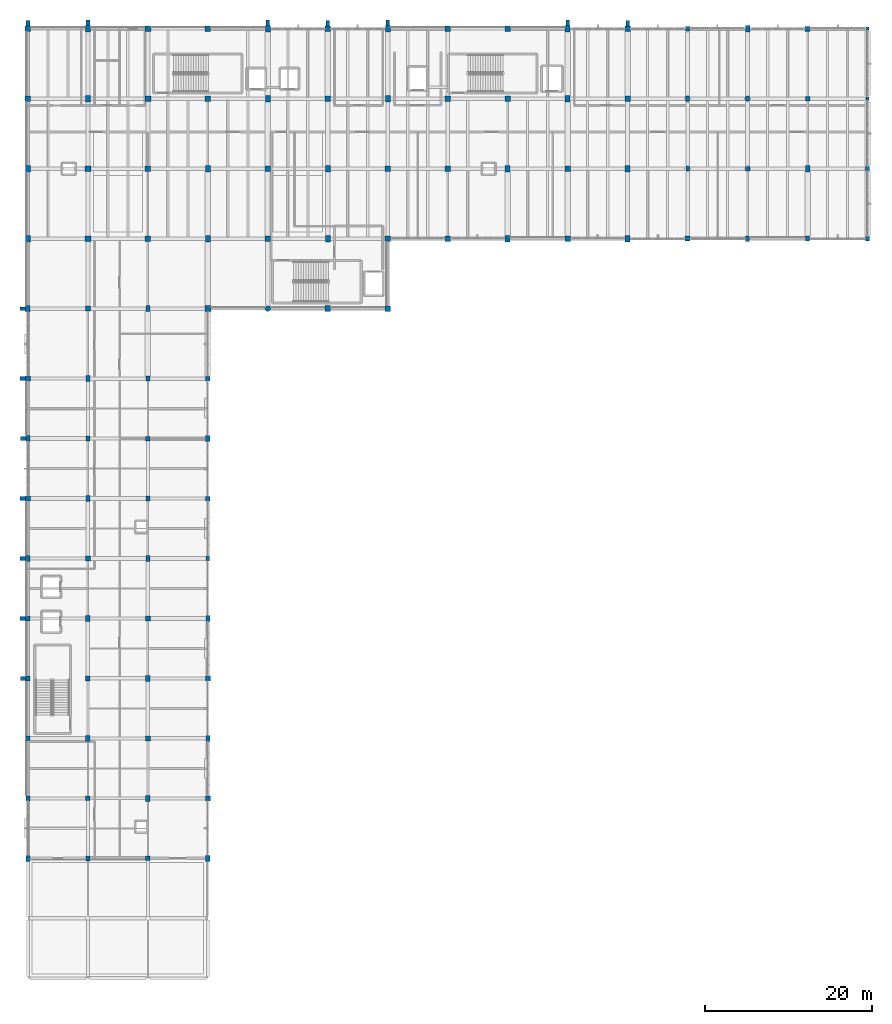
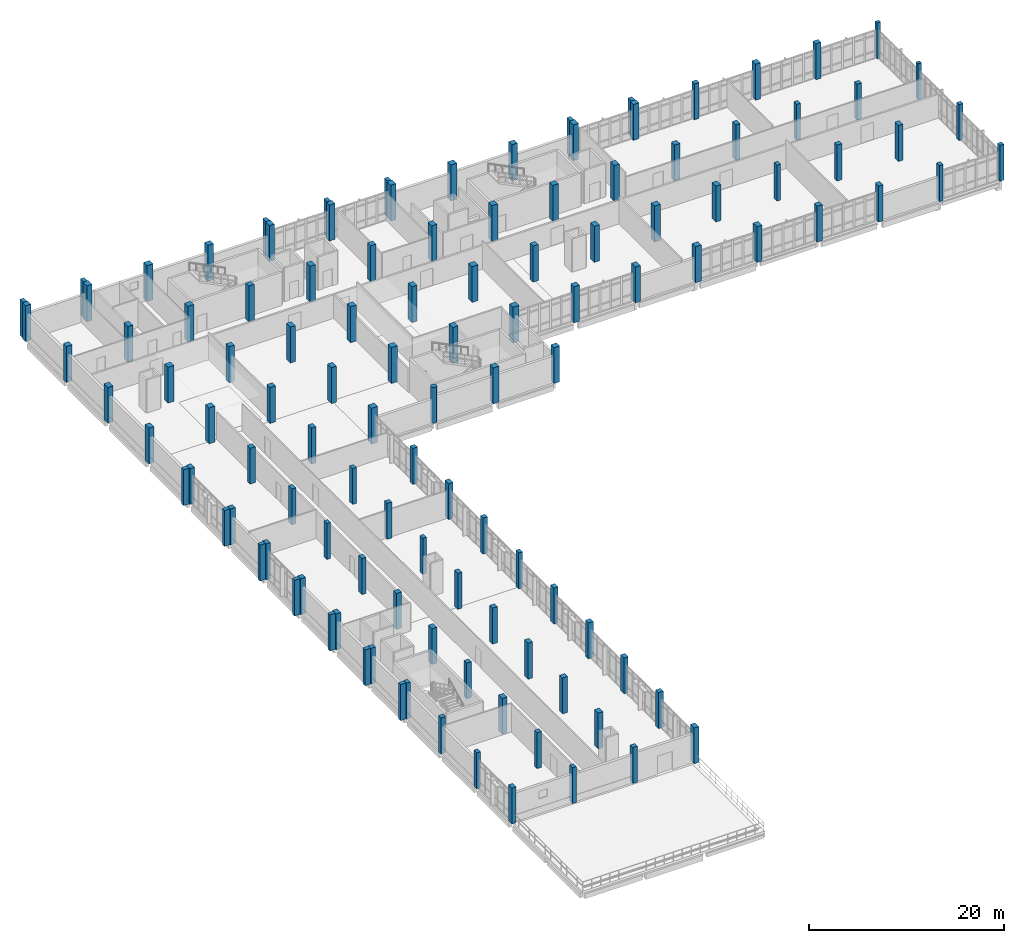
# One storey, part 1 of 57: 117 columns.
"""IFC4 building model written with IfcOpenShell, lengths in metres."""

from ifc_helpers import new_model, si_unit, direction, frame, origin, origin_2d, place, context, subcontext, project, spatial, rectangle, circle, extrude, material, material_profile, profile_set, type_object, element, save


model = new_model("IFC4")

# Units and contexts
model_context = context("Model", 3, precision=1e-05, world=origin(), true_north=direction((0.0, 1.0)))
body_context = subcontext(model_context, "Body", "Model", "MODEL_VIEW")
ifc_project = project(units=[si_unit("LENGTHUNIT", "METRE"), si_unit("AREAUNIT", "SQUARE_METRE"), si_unit("VOLUMEUNIT", "CUBIC_METRE"), si_unit("PLANEANGLEUNIT", "RADIAN"), si_unit("MASSUNIT", "GRAM", prefix="KILO")], contexts=[model_context])

# Site, building, storey
site_placement = place(None, origin())
site = spatial("IfcSite", under=ifc_project, at=site_placement, CompositionType="ELEMENT")
building_placement = place(site_placement, origin())
building = spatial("IfcBuilding", under=site, at=building_placement, Name="Kalluvel Institute of Natural Sciences", CompositionType="ELEMENT")
storey_placement = place(building_placement, frame((0.0, 0.0, 23.39990234375)))
storey = spatial("IfcBuildingStorey", under=building, at=storey_placement, Name="L05", CompositionType="ELEMENT", Elevation=23.39990234375)

# Columns
ifc_material_1 = material(Name="Concrete M40", Category="concrete")
ifc_material_profile_1 = material_profile(ifc_material_1, rectangle(XDim=0.39990234375, YDim=0.39990234375, at=origin_2d()), Name="RC 400x400")
ifc_profile_set_1 = profile_set([ifc_material_profile_1], Name="Concrete M40")
column_type_1 = type_object("IfcColumnType", Name="COL-RC400", PredefinedType="COLUMN", material=ifc_profile_set_1)
for number, where, z_axis, x_axis, name in (
    (1, (114.800048828125, 119.60009765625, 0.0), (0.0, 0.0, 1.0), (1.0, 0.0, 0.0), "L05 structural column COL-L05-X1148-Y1196"),
    (2, (114.800048828125, 128.0, 0.0), (0.0, 0.0, 1.0), (1.0, 0.0, 0.0), "L05 structural column COL-L05-X1148-Y1280"),
):
    element("IfcColumn", number, at=place(storey_placement, frame(where, z_axis=z_axis, x_axis=x_axis)), inside=storey, type_object=column_type_1, Name=name, PredefinedType="COLUMN", context=body_context, shape_type="SweptSolid", body=[
        extrude(rectangle(XDim=0.39990234375, YDim=0.39990234375, at=origin_2d()), origin(), (0.0, 0.0, 1.0), 4.5),
    ])
ifc_material_profile_2 = material_profile(ifc_material_1, rectangle(XDim=0.449951171875, YDim=0.60009765625, at=origin_2d()), Name="RC 450x600")
ifc_profile_set_2 = profile_set([ifc_material_profile_2], Name="Concrete M40")
column_type_2 = type_object("IfcColumnType", Name="COL-RC450x600", PredefinedType="COLUMN", material=ifc_profile_set_2)
for number, where, z_axis, x_axis, name in (
    (3, (14.0, 35.60009765625, 0.0), (0.0, 0.0, 1.0), (1.0, 0.0, 0.0), "L05 structural column COL-L05-X140-Y356"),
    (4, (14.0, 50.0, 0.0), (0.0, 0.0, 1.0), (1.0, 0.0, 0.0), "L05 structural column COL-L05-X140-Y500"),
    (5, (21.199951171875, 28.39990234375, 0.0), (0.0, 0.0, 1.0), (1.0, 0.0, 0.0), "L05 structural column COL-L05-X212-Y284"),
    (6, (21.199951171875, 78.800048828125, 0.0), (0.0, 0.0, 1.0), (1.0, 0.0, 0.0), "L05 structural column COL-L05-X212-Y788"),
    (7, (28.39990234375, 71.60009765625, 0.0), (0.0, 0.0, 1.0), (1.0, 0.0, 0.0), "L05 structural column COL-L05-X284-Y716"),
    (8, (28.39990234375, 86.0, 0.0), (0.0, 0.0, 1.0), (1.0, 0.0, 0.0), "L05 structural column COL-L05-X284-Y860"),
    (9, (35.60009765625, 64.39990234375, 0.0), (0.0, 0.0, 1.0), (1.0, 0.0, 0.0), "L05 structural column COL-L05-X356-Y644"),
    (10, (93.199951171875, 111.199951171875, 0.0), (0.0, 0.0, 1.0), (1.0, 0.0, 0.0), "L05 structural column COL-L05-X932-Y1112"),
    (11, (100.39990234375, 119.60009765625, 0.0), (0.0, 0.0, 1.0), (1.0, 0.0, 0.0), "L05 structural column COL-L05-X1004-Y1196"),
    (12, (107.60009765625, 102.800048828125, 0.0), (0.0, 0.0, 1.0), (1.0, 0.0, 0.0), "L05 structural column COL-L05-X1076-Y1028"),
):
    element("IfcColumn", number, at=place(storey_placement, frame(where, z_axis=z_axis, x_axis=x_axis)), inside=storey, type_object=column_type_2, Name=name, PredefinedType="COLUMN", context=body_context, shape_type="SweptSolid", body=[
        extrude(rectangle(XDim=0.449951171875, YDim=0.60009765625, at=origin_2d()), origin(), (0.0, 0.0, 1.0), 4.5),
    ])
ifc_material_profile_3 = material_profile(ifc_material_1, rectangle(XDim=0.5, YDim=0.5, at=origin_2d()), Name="RC 500x500")
ifc_profile_set_3 = profile_set([ifc_material_profile_3], Name="Concrete M40")
column_type_3 = type_object("IfcColumnType", Name="COL-RC500", PredefinedType="COLUMN", material=ifc_profile_set_3)
for number, where, z_axis, x_axis, name in (
    (13, (114.800048828125, 102.800048828125, 0.0), (0.0, 0.0, 1.0), (1.0, 0.0, 0.0), "L05 structural column COL-L05-X1148-Y1028"),
    (14, (114.800048828125, 111.199951171875, 0.0), (0.0, 0.0, 1.0), (1.0, 0.0, 0.0), "L05 structural column COL-L05-X1148-Y1112"),
):
    element("IfcColumn", number, at=place(storey_placement, frame(where, z_axis=z_axis, x_axis=x_axis)), inside=storey, type_object=column_type_3, Name=name, PredefinedType="COLUMN", context=body_context, shape_type="SweptSolid", body=[
        extrude(rectangle(XDim=0.5, YDim=0.5, at=origin_2d()), origin(), (0.0, 0.0, 1.0), 4.5),
    ])
ifc_material_profile_4 = material_profile(ifc_material_1, rectangle(XDim=0.5, YDim=0.699951171875, at=origin_2d()), Name="RC 500x700")
ifc_profile_set_4 = profile_set([ifc_material_profile_4], Name="Concrete M40")
column_type_4 = type_object("IfcColumnType", Name="COL-RC500x700", PredefinedType="COLUMN", material=ifc_profile_set_4)
for number, where, z_axis, x_axis, name in (
    (15, (14.0, 28.39990234375, 0.0), (0.0, 0.0, 1.0), (1.0, 0.0, 0.0), "L05 structural column COL-L05-X140-Y284"),
    (16, (14.0, 78.800048828125, 0.0), (0.0, 0.0, 1.0), (1.0, 0.0, 0.0), "L05 structural column COL-L05-X140-Y788"),
    (17, (21.199951171875, 71.60009765625, 0.0), (0.0, 0.0, 1.0), (1.0, 0.0, 0.0), "L05 structural column COL-L05-X212-Y716"),
    (18, (21.199951171875, 86.0, 0.0), (0.0, 0.0, 1.0), (1.0, 0.0, 0.0), "L05 structural column COL-L05-X212-Y860"),
    (19, (28.39990234375, 64.39990234375, 0.0), (0.0, 0.0, 1.0), (1.0, 0.0, 0.0), "L05 structural column COL-L05-X284-Y644"),
    (20, (28.39990234375, 94.39990234375, 0.0), (0.0, 0.0, 1.0), (1.0, 0.0, 0.0), "L05 structural column COL-L05-X284-Y944"),
    (21, (35.60009765625, 42.800048828125, 0.0), (0.0, 0.0, 1.0), (1.0, 0.0, 0.0), "L05 structural column COL-L05-X356-Y428"),
    (22, (35.60009765625, 57.199951171875, 0.0), (0.0, 0.0, 1.0), (1.0, 0.0, 0.0), "L05 structural column COL-L05-X356-Y572"),
    (23, (93.199951171875, 119.60009765625, 0.0), (0.0, 0.0, 1.0), (1.0, 0.0, 0.0), "L05 structural column COL-L05-X932-Y1196"),
    (24, (100.39990234375, 102.800048828125, 0.0), (0.0, 0.0, 1.0), (1.0, 0.0, 0.0), "L05 structural column COL-L05-X1004-Y1028"),
):
    element("IfcColumn", number, at=place(storey_placement, frame(where, z_axis=z_axis, x_axis=x_axis)), inside=storey, type_object=column_type_4, Name=name, PredefinedType="COLUMN", context=body_context, shape_type="SweptSolid", body=[
        extrude(rectangle(XDim=0.5, YDim=0.699951171875, at=origin_2d()), origin(), (0.0, 0.0, 1.0), 4.5),
    ])
ifc_material_profile_5 = material_profile(ifc_material_1, rectangle(XDim=0.550048828125, YDim=0.550048828125, at=origin_2d()), Name="RC 550x550")
ifc_profile_set_5 = profile_set([ifc_material_profile_5], Name="Concrete M40")
column_type_5 = type_object("IfcColumnType", Name="COL-RC550", PredefinedType="COLUMN", material=ifc_profile_set_5)
for number, where, z_axis, x_axis, name in (
    (25, (14.0, 42.800048828125, 0.0), (0.0, 0.0, 1.0), (1.0, 0.0, 0.0), "L05 structural column COL-L05-X140-Y428"),
    (26, (14.0, 57.199951171875, 0.0), (0.0, 0.0, 1.0), (1.0, 0.0, 0.0), "L05 structural column COL-L05-X140-Y572"),
    (27, (21.199951171875, 35.60009765625, 0.0), (0.0, 0.0, 1.0), (1.0, 0.0, 0.0), "L05 structural column COL-L05-X212-Y356"),
    (28, (21.199951171875, 50.0, 0.0), (0.0, 0.0, 1.0), (1.0, 0.0, 0.0), "L05 structural column COL-L05-X212-Y500"),
    (29, (28.39990234375, 28.39990234375, 0.0), (0.0, 0.0, 1.0), (1.0, 0.0, 0.0), "L05 structural column COL-L05-X284-Y284"),
    (30, (28.39990234375, 78.800048828125, 0.0), (0.0, 0.0, 1.0), (1.0, 0.0, 0.0), "L05 structural column COL-L05-X284-Y788"),
    (31, (35.60009765625, 71.60009765625, 0.0), (0.0, 0.0, 1.0), (1.0, 0.0, 0.0), "L05 structural column COL-L05-X356-Y716"),
    (32, (35.60009765625, 86.0, 0.0), (0.0, 0.0, 1.0), (1.0, 0.0, 0.0), "L05 structural column COL-L05-X356-Y860"),
    (33, (93.199951171875, 128.0, 0.0), (0.0, 0.0, 1.0), (1.0, 0.0, 0.0), "L05 structural column COL-L05-X932-Y1280"),
    (34, (100.39990234375, 111.199951171875, 0.0), (0.0, 0.0, 1.0), (1.0, 0.0, 0.0), "L05 structural column COL-L05-X1004-Y1112"),
    (35, (107.60009765625, 119.60009765625, 0.0), (0.0, 0.0, 1.0), (1.0, 0.0, 0.0), "L05 structural column COL-L05-X1076-Y1196"),
):
    element("IfcColumn", number, at=place(storey_placement, frame(where, z_axis=z_axis, x_axis=x_axis)), inside=storey, type_object=column_type_5, Name=name, PredefinedType="COLUMN", context=body_context, shape_type="SweptSolid", body=[
        extrude(rectangle(XDim=0.550048828125, YDim=0.550048828125, at=origin_2d()), origin(), (0.0, 0.0, 1.0), 4.5),
    ])
ifc_material_profile_6 = material_profile(ifc_material_1, rectangle(XDim=0.550048828125, YDim=0.75, at=origin_2d()), Name="RC 550x750")
ifc_profile_set_6 = profile_set([ifc_material_profile_6], Name="Concrete M40")
column_type_6 = type_object("IfcColumnType", Name="COL-RC550x750", PredefinedType="COLUMN", material=ifc_profile_set_6)
for number, where, z_axis, x_axis, name in (
    (36, (14.0, 64.39990234375, 0.0), (0.0, 0.0, 1.0), (1.0, 0.0, 0.0), "L05 structural column COL-L05-X140-Y644"),
    (37, (14.0, 94.39990234375, 0.0), (0.0, 0.0, 1.0), (1.0, 0.0, 0.0), "L05 structural column COL-L05-X140-Y944"),
    (38, (21.199951171875, 42.800048828125, 0.0), (0.0, 0.0, 1.0), (1.0, 0.0, 0.0), "L05 structural column COL-L05-X212-Y428"),
    (39, (21.199951171875, 57.199951171875, 0.0), (0.0, 0.0, 1.0), (1.0, 0.0, 0.0), "L05 structural column COL-L05-X212-Y572"),
    (40, (28.39990234375, 35.60009765625, 0.0), (0.0, 0.0, 1.0), (1.0, 0.0, 0.0), "L05 structural column COL-L05-X284-Y356"),
    (41, (28.39990234375, 50.0, 0.0), (0.0, 0.0, 1.0), (1.0, 0.0, 0.0), "L05 structural column COL-L05-X284-Y500"),
    (42, (35.60009765625, 28.39990234375, 0.0), (0.0, 0.0, 1.0), (1.0, 0.0, 0.0), "L05 structural column COL-L05-X356-Y284"),
    (43, (35.60009765625, 78.800048828125, 0.0), (0.0, 0.0, 1.0), (1.0, 0.0, 0.0), "L05 structural column COL-L05-X356-Y788"),
    (44, (100.39990234375, 128.0, 0.0), (0.0, 0.0, 1.0), (1.0, 0.0, 0.0), "L05 structural column COL-L05-X1004-Y1280"),
    (45, (107.60009765625, 111.199951171875, 0.0), (0.0, 0.0, 1.0), (1.0, 0.0, 0.0), "L05 structural column COL-L05-X1076-Y1112"),
):
    element("IfcColumn", number, at=place(storey_placement, frame(where, z_axis=z_axis, x_axis=x_axis)), inside=storey, type_object=column_type_6, Name=name, PredefinedType="COLUMN", context=body_context, shape_type="SweptSolid", body=[
        extrude(rectangle(XDim=0.550048828125, YDim=0.75, at=origin_2d()), origin(), (0.0, 0.0, 1.0), 4.5),
    ])
ifc_material_profile_7 = material_profile(ifc_material_1, rectangle(XDim=0.60009765625, YDim=0.60009765625, at=origin_2d()), Name="RC 600x600")
ifc_profile_set_7 = profile_set([ifc_material_profile_7], Name="Concrete M40")
column_type_7 = type_object("IfcColumnType", Name="COL-RC600", PredefinedType="COLUMN", material=ifc_profile_set_7)
for number, where, z_axis, x_axis, name in (
    (46, (14.0, 71.60009765625, 0.0), (0.0, 0.0, 1.0), (1.0, 0.0, 0.0), "L05 structural column COL-L05-X140-Y716"),
    (47, (14.0, 86.0, 0.0), (0.0, 0.0, 1.0), (1.0, 0.0, 0.0), "L05 structural column COL-L05-X140-Y860"),
    (48, (21.199951171875, 64.39990234375, 0.0), (0.0, 0.0, 1.0), (1.0, 0.0, 0.0), "L05 structural column COL-L05-X212-Y644"),
    (49, (21.199951171875, 94.39990234375, 0.0), (0.0, 0.0, 1.0), (1.0, 0.0, 0.0), "L05 structural column COL-L05-X212-Y944"),
    (50, (28.39990234375, 42.800048828125, 0.0), (0.0, 0.0, 1.0), (1.0, 0.0, 0.0), "L05 structural column COL-L05-X284-Y428"),
    (51, (28.39990234375, 57.199951171875, 0.0), (0.0, 0.0, 1.0), (1.0, 0.0, 0.0), "L05 structural column COL-L05-X284-Y572"),
    (52, (35.60009765625, 35.60009765625, 0.0), (0.0, 0.0, 1.0), (1.0, 0.0, 0.0), "L05 structural column COL-L05-X356-Y356"),
    (53, (35.60009765625, 50.0, 0.0), (0.0, 0.0, 1.0), (1.0, 0.0, 0.0), "L05 structural column COL-L05-X356-Y500"),
    (54, (93.199951171875, 102.800048828125, 0.0), (0.0, 0.0, 1.0), (1.0, 0.0, 0.0), "L05 structural column COL-L05-X932-Y1028"),
    (55, (107.60009765625, 128.0, 0.0), (0.0, 0.0, 1.0), (1.0, 0.0, 0.0), "L05 structural column COL-L05-X1076-Y1280"),
):
    element("IfcColumn", number, at=place(storey_placement, frame(where, z_axis=z_axis, x_axis=x_axis)), inside=storey, type_object=column_type_7, Name=name, PredefinedType="COLUMN", context=body_context, shape_type="SweptSolid", body=[
        extrude(rectangle(XDim=0.60009765625, YDim=0.60009765625, at=origin_2d()), origin(), (0.0, 0.0, 1.0), 4.5),
    ])
ifc_material_2 = material(Name="Concrete M50", Category="concrete")
ifc_material_profile_8 = material_profile(ifc_material_2, rectangle(XDim=0.60009765625, YDim=0.800048828125, at=origin_2d()), Name="RC 600x800")
ifc_profile_set_8 = profile_set([ifc_material_profile_8], Name="Concrete M50")
column_type_8 = type_object("IfcColumnType", Name="COL-RC600x800", PredefinedType="COLUMN", material=ifc_profile_set_8)
for number, where, z_axis, x_axis, name in (
    (56, (14.0, 102.800048828125, 0.0), (0.0, 0.0, 1.0), (1.0, 0.0, 0.0), "L05 structural column COL-L05-X140-Y1028"),
    (57, (14.0, 111.199951171875, 0.0), (0.0, 0.0, 1.0), (1.0, 0.0, 0.0), "L05 structural column COL-L05-X140-Y1112"),
    (58, (21.199951171875, 119.60009765625, 0.0), (0.0, 0.0, 1.0), (1.0, 0.0, 0.0), "L05 structural column COL-L05-X212-Y1196"),
    (59, (21.199951171875, 128.0, 0.0), (0.0, 0.0, 1.0), (1.0, 0.0, 0.0), "L05 structural column COL-L05-X212-Y1280"),
    (60, (35.60009765625, 102.800048828125, 0.0), (0.0, 0.0, 1.0), (1.0, 0.0, 0.0), "L05 structural column COL-L05-X356-Y1028"),
    (61, (35.60009765625, 111.199951171875, 0.0), (0.0, 0.0, 1.0), (1.0, 0.0, 0.0), "L05 structural column COL-L05-X356-Y1112"),
    (62, (42.800048828125, 119.60009765625, 0.0), (0.0, 0.0, 1.0), (1.0, 0.0, 0.0), "L05 structural column COL-L05-X428-Y1196"),
    (63, (42.800048828125, 128.0, 0.0), (0.0, 0.0, 1.0), (1.0, 0.0, 0.0), "L05 structural column COL-L05-X428-Y1280"),
    (64, (50.0, 102.800048828125, 0.0), (0.0, 0.0, 1.0), (1.0, 0.0, 0.0), "L05 structural column COL-L05-X500-Y1028"),
    (65, (50.0, 111.199951171875, 0.0), (0.0, 0.0, 1.0), (1.0, 0.0, 0.0), "L05 structural column COL-L05-X500-Y1112"),
    (66, (57.199951171875, 119.60009765625, 0.0), (0.0, 0.0, 1.0), (1.0, 0.0, 0.0), "L05 structural column COL-L05-X572-Y1196"),
    (67, (57.199951171875, 128.0, 0.0), (0.0, 0.0, 1.0), (1.0, 0.0, 0.0), "L05 structural column COL-L05-X572-Y1280"),
    (68, (71.60009765625, 102.800048828125, 0.0), (0.0, 0.0, 1.0), (1.0, 0.0, 0.0), "L05 structural column COL-L05-X716-Y1028"),
    (69, (71.60009765625, 111.199951171875, 0.0), (0.0, 0.0, 1.0), (1.0, 0.0, 0.0), "L05 structural column COL-L05-X716-Y1112"),
    (70, (78.800048828125, 119.60009765625, 0.0), (0.0, 0.0, 1.0), (1.0, 0.0, 0.0), "L05 structural column COL-L05-X788-Y1196"),
    (71, (78.800048828125, 128.0, 0.0), (0.0, 0.0, 1.0), (1.0, 0.0, 0.0), "L05 structural column COL-L05-X788-Y1280"),
    (72, (86.0, 102.800048828125, 0.0), (0.0, 0.0, 1.0), (1.0, 0.0, 0.0), "L05 structural column COL-L05-X860-Y1028"),
    (73, (86.0, 111.199951171875, 0.0), (0.0, 0.0, 1.0), (1.0, 0.0, 0.0), "L05 structural column COL-L05-X860-Y1112"),
):
    element("IfcColumn", number, at=place(storey_placement, frame(where, z_axis=z_axis, x_axis=x_axis)), inside=storey, type_object=column_type_8, Name=name, PredefinedType="COLUMN", context=body_context, shape_type="SweptSolid", body=[
        extrude(rectangle(XDim=0.60009765625, YDim=0.800048828125, at=origin_2d()), origin(), (0.0, 0.0, 1.0), 4.5),
    ])
ifc_material_profile_9 = material_profile(ifc_material_1, rectangle(XDim=0.64990234375, YDim=0.64990234375, at=origin_2d()), Name="RC 650x650")
ifc_profile_set_9 = profile_set([ifc_material_profile_9], Name="Concrete M40")
column_type_9 = type_object("IfcColumnType", Name="COL-RC650", PredefinedType="COLUMN", material=ifc_profile_set_9)
for number, where, z_axis, x_axis, name in (
    (74, (14.0, 119.60009765625, 0.0), (0.0, 0.0, 1.0), (1.0, 0.0, 0.0), "L05 structural column COL-L05-X140-Y1196"),
    (75, (14.0, 128.0, 0.0), (0.0, 0.0, 1.0), (1.0, 0.0, 0.0), "L05 structural column COL-L05-X140-Y1280"),
    (76, (28.39990234375, 102.800048828125, 0.0), (0.0, 0.0, 1.0), (1.0, 0.0, 0.0), "L05 structural column COL-L05-X284-Y1028"),
    (77, (28.39990234375, 111.199951171875, 0.0), (0.0, 0.0, 1.0), (1.0, 0.0, 0.0), "L05 structural column COL-L05-X284-Y1112"),
    (78, (35.60009765625, 119.60009765625, 0.0), (0.0, 0.0, 1.0), (1.0, 0.0, 0.0), "L05 structural column COL-L05-X356-Y1196"),
    (79, (35.60009765625, 128.0, 0.0), (0.0, 0.0, 1.0), (1.0, 0.0, 0.0), "L05 structural column COL-L05-X356-Y1280"),
    (80, (50.0, 119.60009765625, 0.0), (0.0, 0.0, 1.0), (1.0, 0.0, 0.0), "L05 structural column COL-L05-X500-Y1196"),
    (81, (50.0, 128.0, 0.0), (0.0, 0.0, 1.0), (1.0, 0.0, 0.0), "L05 structural column COL-L05-X500-Y1280"),
    (82, (57.199951171875, 94.39990234375, 0.0), (0.0, 0.0, 1.0), (1.0, 0.0, 0.0), "L05 structural column COL-L05-X572-Y944"),
    (83, (64.39990234375, 102.800048828125, 0.0), (0.0, 0.0, 1.0), (1.0, 0.0, 0.0), "L05 structural column COL-L05-X644-Y1028"),
    (84, (64.39990234375, 111.199951171875, 0.0), (0.0, 0.0, 1.0), (1.0, 0.0, 0.0), "L05 structural column COL-L05-X644-Y1112"),
    (85, (71.60009765625, 119.60009765625, 0.0), (0.0, 0.0, 1.0), (1.0, 0.0, 0.0), "L05 structural column COL-L05-X716-Y1196"),
    (86, (71.60009765625, 128.0, 0.0), (0.0, 0.0, 1.0), (1.0, 0.0, 0.0), "L05 structural column COL-L05-X716-Y1280"),
    (87, (86.0, 119.60009765625, 0.0), (0.0, 0.0, 1.0), (1.0, 0.0, 0.0), "L05 structural column COL-L05-X860-Y1196"),
    (88, (86.0, 128.0, 0.0), (0.0, 0.0, 1.0), (1.0, 0.0, 0.0), "L05 structural column COL-L05-X860-Y1280"),
):
    element("IfcColumn", number, at=place(storey_placement, frame(where, z_axis=z_axis, x_axis=x_axis)), inside=storey, type_object=column_type_9, Name=name, PredefinedType="COLUMN", context=body_context, shape_type="SweptSolid", body=[
        extrude(rectangle(XDim=0.64990234375, YDim=0.64990234375, at=origin_2d()), origin(), (0.0, 0.0, 1.0), 4.5),
    ])
ifc_material_profile_10 = material_profile(ifc_material_1, rectangle(XDim=0.699951171875, YDim=0.699951171875, at=origin_2d()), Name="RC 700x700")
ifc_profile_set_10 = profile_set([ifc_material_profile_10], Name="Concrete M40")
column_type_10 = type_object("IfcColumnType", Name="COL-RC700", PredefinedType="COLUMN", material=ifc_profile_set_10)
for number, where, z_axis, x_axis, name in (
    (89, (21.199951171875, 102.800048828125, 0.0), (0.0, 0.0, 1.0), (1.0, 0.0, 0.0), "L05 structural column COL-L05-X212-Y1028"),
    (90, (21.199951171875, 111.199951171875, 0.0), (0.0, 0.0, 1.0), (1.0, 0.0, 0.0), "L05 structural column COL-L05-X212-Y1112"),
    (91, (28.39990234375, 119.60009765625, 0.0), (0.0, 0.0, 1.0), (1.0, 0.0, 0.0), "L05 structural column COL-L05-X284-Y1196"),
    (92, (28.39990234375, 128.0, 0.0), (0.0, 0.0, 1.0), (1.0, 0.0, 0.0), "L05 structural column COL-L05-X284-Y1280"),
    (93, (35.60009765625, 94.39990234375, 0.0), (0.0, 0.0, 1.0), (1.0, 0.0, 0.0), "L05 structural column COL-L05-X356-Y944"),
    (94, (42.800048828125, 102.800048828125, 0.0), (0.0, 0.0, 1.0), (1.0, 0.0, 0.0), "L05 structural column COL-L05-X428-Y1028"),
    (95, (42.800048828125, 111.199951171875, 0.0), (0.0, 0.0, 1.0), (1.0, 0.0, 0.0), "L05 structural column COL-L05-X428-Y1112"),
    (96, (50.0, 94.39990234375, 0.0), (0.0, 0.0, 1.0), (1.0, 0.0, 0.0), "L05 structural column COL-L05-X500-Y944"),
    (97, (57.199951171875, 102.800048828125, 0.0), (0.0, 0.0, 1.0), (1.0, 0.0, 0.0), "L05 structural column COL-L05-X572-Y1028"),
    (98, (57.199951171875, 111.199951171875, 0.0), (0.0, 0.0, 1.0), (1.0, 0.0, 0.0), "L05 structural column COL-L05-X572-Y1112"),
    (99, (64.39990234375, 119.60009765625, 0.0), (0.0, 0.0, 1.0), (1.0, 0.0, 0.0), "L05 structural column COL-L05-X644-Y1196"),
    (100, (64.39990234375, 128.0, 0.0), (0.0, 0.0, 1.0), (1.0, 0.0, 0.0), "L05 structural column COL-L05-X644-Y1280"),
    (101, (78.800048828125, 102.800048828125, 0.0), (0.0, 0.0, 1.0), (1.0, 0.0, 0.0), "L05 structural column COL-L05-X788-Y1028"),
    (102, (78.800048828125, 111.199951171875, 0.0), (0.0, 0.0, 1.0), (1.0, 0.0, 0.0), "L05 structural column COL-L05-X788-Y1112"),
):
    element("IfcColumn", number, at=place(storey_placement, frame(where, z_axis=z_axis, x_axis=x_axis)), inside=storey, type_object=column_type_10, Name=name, PredefinedType="COLUMN", context=body_context, shape_type="SweptSolid", body=[
        extrude(rectangle(XDim=0.699951171875, YDim=0.699951171875, at=origin_2d()), origin(), (0.0, 0.0, 1.0), 4.5),
    ])
ifc_material_profile_11 = material_profile(ifc_material_1, circle(Radius=0.324951171875, at=origin_2d()), Name="RCCOL D650")
ifc_profile_set_11 = profile_set([ifc_material_profile_11], Name="Concrete M40")
column_type_11 = type_object("IfcColumnType", Name="COL-RCD650", PredefinedType="COLUMN", material=ifc_profile_set_11)
column_placement = place(storey_placement, frame((42.800048828125, 94.39990234375, 0.0), z_axis=(0.0, 0.0, 1.0), x_axis=(1.0, 0.0, 0.0)))
element("IfcColumn", 103, at=column_placement, inside=storey, type_object=column_type_11, Name="L05 structural column COL-L05-X428-Y944", PredefinedType="COLUMN", context=body_context, shape_type="SweptSolid", body=[
    extrude(circle(Radius=0.324951171875, at=origin_2d()), origin(), (0.0, 0.0, 1.0), 4.5),
])
ifc_material_3 = material(Name="Sadarahalli Granite Precast Concrete M45", Category="masonry")
ifc_material_profile_12 = material_profile(ifc_material_3, rectangle(XDim=0.449951171875, YDim=0.64990234375, at=origin_2d()), Name="PIL 450x650")
ifc_profile_set_12 = profile_set([ifc_material_profile_12], Name="Sadarahalli Granite Precast Concrete M45")
column_type_12 = type_object("IfcColumnType", Name="PIL-450x650", PredefinedType="PILASTER", material=ifc_profile_set_12)
for number, where, z_axis, x_axis, name in (
    (104, (14.0, 128.653076171875, 0.0), (0.0, 0.0, 1.0), (1.0, 0.0, 0.0), "L05 Gothic stepped Sadarahalli granite buttress 7"),
    (105, (21.199951171875, 128.72802734375, 0.0), (0.0, 0.0, 1.0), (1.0, 0.0, 0.0), "L05 Gothic stepped Sadarahalli granite buttress 17"),
    (106, (42.800048828125, 128.72802734375, 0.0), (0.0, 0.0, 1.0), (1.0, 0.0, 0.0), "L05 Gothic stepped Sadarahalli granite buttress 27"),
    (107, (50.0, 128.653076171875, 0.0), (0.0, 0.0, 1.0), (1.0, 0.0, 0.0), "L05 Gothic stepped Sadarahalli granite buttress 37"),
    (108, (57.199951171875, 128.72802734375, 0.0), (0.0, 0.0, 1.0), (1.0, 0.0, 0.0), "L05 Gothic stepped Sadarahalli granite buttress 47"),
    (109, (78.800048828125, 128.72802734375, 0.0), (0.0, 0.0, 1.0), (1.0, 0.0, 0.0), "L05 Gothic stepped Sadarahalli granite buttress 57"),
    (110, (86.0, 128.653076171875, 0.0), (0.0, 0.0, 1.0), (1.0, 0.0, 0.0), "L05 Gothic stepped Sadarahalli granite buttress 67"),
    (111, (13.447021484375, 50.0, 0.0), (0.0, 0.0, 1.0), (0.0, 1.0, 0.0), "L05 Gothic stepped Sadarahalli granite buttress 83"),
    (112, (13.39697265625, 57.199951171875, 0.0), (0.0, 0.0, 1.0), (0.0, 1.0, 0.0), "L05 Gothic stepped Sadarahalli granite buttress 91"),
    (113, (13.39697265625, 64.39990234375, 0.0), (0.0, 0.0, 1.0), (0.0, 1.0, 0.0), "L05 Gothic stepped Sadarahalli granite buttress 99"),
    (114, (13.3720703125, 71.60009765625, 0.0), (0.0, 0.0, 1.0), (0.0, 1.0, 0.0), "L05 Gothic stepped Sadarahalli granite buttress 107"),
    (115, (13.422119140625, 78.800048828125, 0.0), (0.0, 0.0, 1.0), (0.0, 1.0, 0.0), "L05 Gothic stepped Sadarahalli granite buttress 115"),
    (116, (13.3720703125, 86.0, 0.0), (0.0, 0.0, 1.0), (0.0, 1.0, 0.0), "L05 Gothic stepped Sadarahalli granite buttress 123"),
    (117, (13.39697265625, 94.39990234375, 0.0), (0.0, 0.0, 1.0), (0.0, 1.0, 0.0), "L05 Gothic stepped Sadarahalli granite buttress 131"),
):
    element("IfcColumn", number, at=place(storey_placement, frame(where, z_axis=z_axis, x_axis=x_axis)), inside=storey, type_object=column_type_12, Name=name, PredefinedType="PILASTER", context=body_context, shape_type="SweptSolid", body=[
        extrude(rectangle(XDim=0.449951171875, YDim=0.64990234375, at=origin_2d()), origin(), (0.0, 0.0, 1.0), 4.5),
    ])

save(model, "model.ifc")
